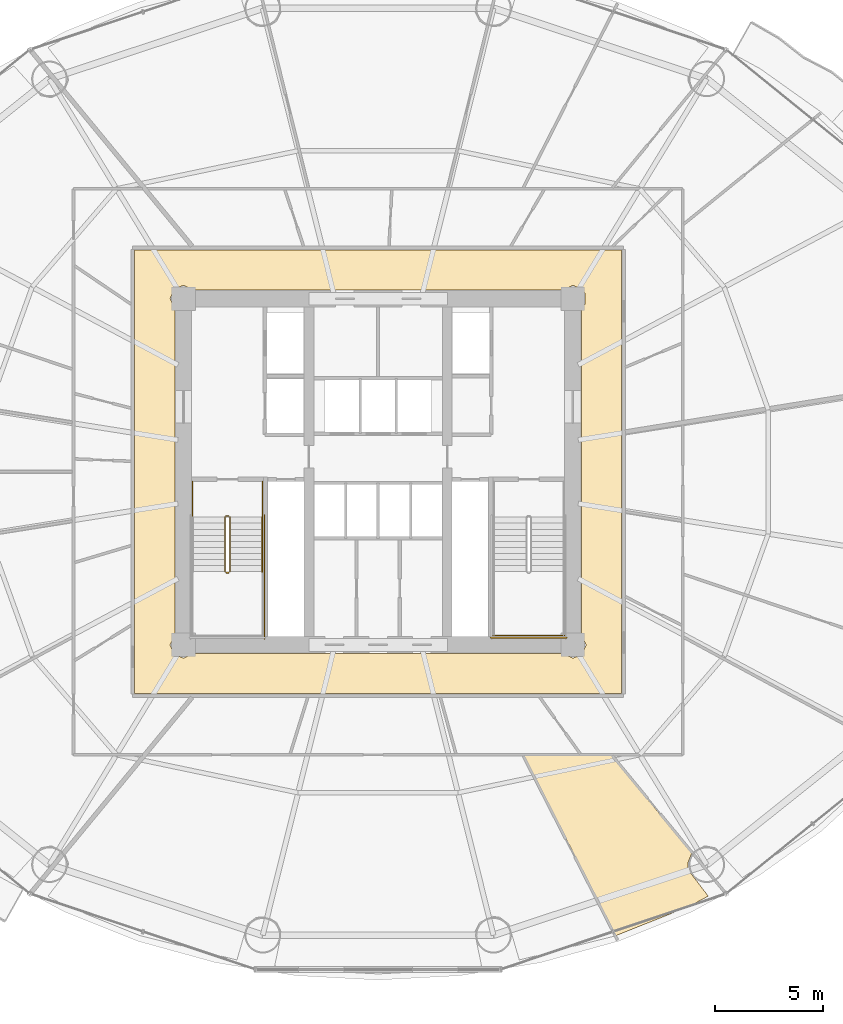
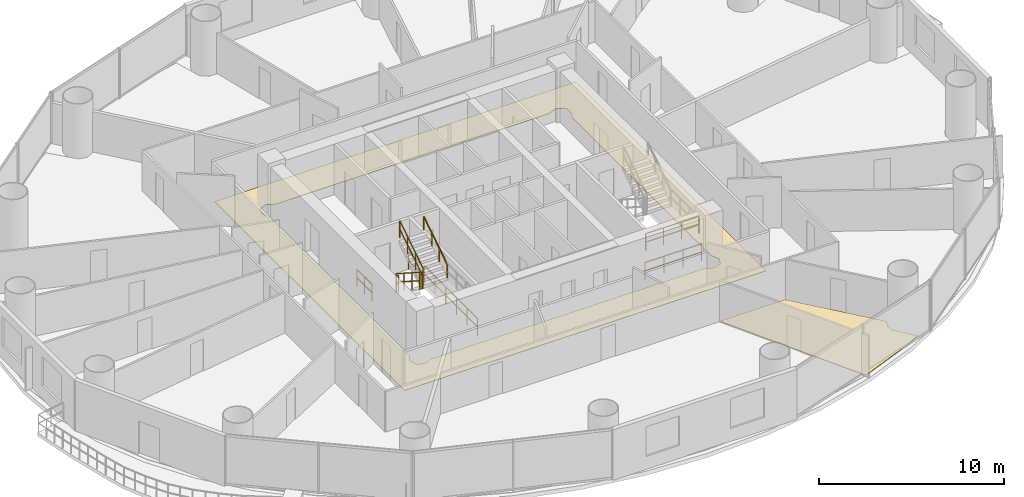
# One storey, part 26 of 28: 10 railings, 2 coverings.
"""IFC4 building model written with IfcOpenShell, lengths in metres."""

from ifc_helpers import new_model, si_unit, direction, frame, origin, origin_2d, place, context, subcontext, project, spatial, polyline, rectangle, outline, extrude, material, layer, layer_set, type_object, element, save


model = new_model("IFC4")

# Units and contexts
model_context = context("Model", 3, precision=1e-05, world=origin(), true_north=direction((-0.2419218956, 0.970295726276)))
body_context = subcontext(model_context, "Body", "Model", "MODEL_VIEW")
ifc_project = project(units=[si_unit("LENGTHUNIT", "METRE"), si_unit("AREAUNIT", "SQUARE_METRE"), si_unit("VOLUMEUNIT", "CUBIC_METRE"), si_unit("PLANEANGLEUNIT", "RADIAN"), si_unit("MASSUNIT", "GRAM", prefix="KILO")], contexts=[model_context])

# Site, building, storey
site_placement = place(None, origin())
site = spatial("IfcSite", under=ifc_project, at=site_placement, CompositionType="ELEMENT")
building_placement = place(site_placement, origin())
building = spatial("IfcBuilding", under=site, at=building_placement, Name="Cobrevalo Terracotta Tower", CompositionType="ELEMENT")
storey_placement = place(building_placement, frame((0.0, 0.0, 38.39990234375)))
storey = spatial("IfcBuildingStorey", under=building, at=storey_placement, Name="L09", CompositionType="ELEMENT", Elevation=38.39990234375)

# Coverings
ifc_material_1 = material(Name="Engineered Brazilian hardwood flooring", Category="wood")
ifc_layer_1 = layer(ifc_material_1, 0.028076171875)
ifc_layer_set_1 = layer_set([ifc_layer_1], Name="Engineered Brazilian hardwood flooring")
covering_type_1 = type_object("IfcCoveringType", Name="Engineered Hardwood Suite Flooring 28", PredefinedType="FLOORING", material=ifc_layer_set_1)
covering_1_placement = place(storey_placement, origin())
element("IfcCovering", 1, at=covering_1_placement, inside=storey, type_object=covering_type_1, Name="Flat L09C Master Bedroom floor finish", PredefinedType="FLOORING", context=body_context, shape_type="SweptSolid", body=[
    extrude(outline(polyline([(48.9873046875, 5.3486328125), (44.72119140625, 13.695068359375), (48.780029296875, 13.695068359375), (52.5048828125, 9.177490234375), (52.318115234375, 8.71044921875), (52.35498046875, 8.369140625), (53.26318359375, 7.178955078125), (52.361572265625, 6.691650390625), (48.9873046875, 5.3486328125)])), origin(), (0.0, 0.0, 1.0), 0.030029296875),
])
ifc_material_2 = material(Name="Honed terracotta and granite tile", Category="masonry")
ifc_layer_2 = layer(ifc_material_2, 0.034912109375)
ifc_layer_set_2 = layer_set([ifc_layer_2], Name="Honed terracotta and granite tile")
covering_type_2 = type_object("IfcCoveringType", Name="Honed Terracotta & Granite Interior Flooring 35", PredefinedType="FLOORING", material=ifc_layer_set_2)
covering_2_placement = place(storey_placement, origin())
element("IfcCovering", 2, at=covering_2_placement, inside=storey, type_object=covering_type_2, Name="L09 Residential Floor Corridor floor finish", PredefinedType="FLOORING", context=body_context, shape_type="SweptSolid", body=[
    extrude(outline(polyline([(49.2548828125, 37.054931640625), (49.2548828125, 16.544921875), (26.7451171875, 16.544921875), (26.7451171875, 37.054931640625), (49.2548828125, 37.054931640625)]), holes=[polyline([(47.39501953125, 34.33203125), (47.5732421875, 34.5625), (47.5732421875, 35.037353515625), (47.438720703125, 35.23876953125), (47.0, 35.42041015625), (46.5322265625, 35.195068359375), (29.4677734375, 35.195068359375), (29.0, 35.42041015625), (28.561279296875, 35.23876953125), (28.379638671875, 34.800048828125), (28.60498046875, 34.33203125), (28.60498046875, 19.267822265625), (28.379638671875, 18.800048828125), (28.561279296875, 18.361328125), (29.0, 18.1796875), (29.4677734375, 18.405029296875), (46.5322265625, 18.405029296875), (47.0, 18.1796875), (47.438720703125, 18.361328125), (47.620361328125, 18.800048828125), (47.39501953125, 19.267822265625), (47.39501953125, 34.33203125)])]), origin(), (0.0, 0.0, 1.0), 0.030029296875),
])

# Railings
ifc_material_3 = material(Name="Brushed stainless steel", Category="steel")
railing_type_1 = type_object("IfcRailingType", Name="Stainless Steel Stair Handrail 900", PredefinedType="HANDRAIL", material=ifc_material_3)
railing_1_placement = place(storey_placement, frame((32.64501953125, 22.179931640625, 1.97998046875)))
element("IfcRailing", 3, at=railing_1_placement, inside=storey, type_object=railing_type_1, Name="L09 ST-1 stair handrail 2", PredefinedType="HANDRAIL", context=body_context, shape_type="SweptSolid", body=[
    extrude(rectangle(XDim=0.048095703125, YDim=0.048095703125, at=origin_2d()), frame((0.0, 0.0, 0.8759765625), z_axis=(0.0, 0.841162588446, 0.540782303519), x_axis=(-1.0, 0.0, 0.0)), (0.0, 0.0, 1.0), 2.995849609375),
    extrude(rectangle(XDim=0.0419921875, YDim=0.0419921875, at=origin_2d()), origin(), (0.0, 0.0, 1.0), 0.851806640625),
    extrude(rectangle(XDim=0.0419921875, YDim=0.0419921875, at=origin_2d()), frame((0.0, 0.840087890625, 0.5400390625)), (0.0, 0.0, 1.0), 0.851806640625),
    extrude(rectangle(XDim=0.0419921875, YDim=0.0419921875, at=origin_2d()), frame((0.0, 1.679931640625, 1.080078125)), (0.0, 0.0, 1.0), 0.851806640625),
    extrude(rectangle(XDim=0.0419921875, YDim=0.0419921875, at=origin_2d()), frame((0.0, 2.52001953125, 1.6201171875)), (0.0, 0.0, 1.0), 0.851806640625),
])
ifc_material_4 = material(Name="Painted galvanized steel", Category="steel")
railing_type_2 = type_object("IfcRailingType", Name="Stair Well Guard Balustrade 1150", PredefinedType="GUARDRAIL", material=ifc_material_4)
railing_2_placement = place(storey_placement, frame((30.925048828125, 24.699951171875, 0.18017578125)))
element("IfcRailing", 4, at=railing_2_placement, inside=storey, type_object=railing_type_2, Name="L09 ST-1 stair guard 1", PredefinedType="GUARDRAIL", context=body_context, shape_type="SweptSolid", body=[
    extrude(rectangle(XDim=0.048095703125, YDim=0.048095703125, at=origin_2d()), frame((0.0, 0.0, 1.1259765625), z_axis=(0.0, -0.841199657755, 0.540724639528), x_axis=(1.0, 0.0, 0.0)), (0.0, 0.0, 1.0), 2.995849609375),
    extrude(rectangle(XDim=0.048095703125, YDim=0.048095703125, at=origin_2d()), frame((0.0, 0.0, 0.574951171875), z_axis=(0.0, -0.841199657755, 0.540724639528), x_axis=(1.0, 0.0, 0.0)), (0.0, 0.0, 1.0), 2.995849609375),
    extrude(rectangle(XDim=0.0419921875, YDim=0.0419921875, at=origin_2d()), origin(), (0.0, 0.0, 1.0), 1.101806640625),
    extrude(rectangle(XDim=0.0419921875, YDim=0.0419921875, at=origin_2d()), frame((0.0, -0.840087890625, 0.5400390625)), (0.0, 0.0, 1.0), 1.101806640625),
    extrude(rectangle(XDim=0.0419921875, YDim=0.0419921875, at=origin_2d()), frame((0.0, -1.679931640625, 1.079833984375)), (0.0, 0.0, 1.0), 1.101806640625),
    extrude(rectangle(XDim=0.0419921875, YDim=0.0419921875, at=origin_2d()), frame((0.0, -2.52001953125, 1.619873046875)), (0.0, 0.0, 1.0), 1.101806640625),
])
railing_3_placement = place(storey_placement, frame((30.97509765625, 22.1298828125, 1.800048828125)))
element("IfcRailing", 5, at=railing_3_placement, inside=storey, type_object=railing_type_2, Name="L09 ST-1 stair guard 2", PredefinedType="GUARDRAIL", context=body_context, shape_type="SweptSolid", body=[
    extrude(rectangle(XDim=0.048095703125, YDim=0.048095703125, at=origin_2d()), frame((0.0, 0.0, 1.1259765625), z_axis=(1.0, 0.0, 0.0), x_axis=(0.0, 1.0, 0.0)), (0.0, 0.0, 1.0), 0.119873046875),
    extrude(rectangle(XDim=0.048095703125, YDim=0.048095703125, at=origin_2d()), frame((0.0, 0.0, 0.574951171875), z_axis=(1.0, 0.0, 0.0), x_axis=(0.0, 1.0, 0.0)), (0.0, 0.0, 1.0), 0.119873046875),
    extrude(rectangle(XDim=0.0419921875, YDim=0.0419921875, at=origin_2d()), origin(), (0.0, 0.0, 1.0), 1.101806640625),
    extrude(rectangle(XDim=0.0419921875, YDim=0.0419921875, at=origin_2d()), frame((0.119873046875, 0.0, 0.0)), (0.0, 0.0, 1.0), 1.101806640625),
])
railing_4_placement = place(storey_placement, frame((31.14501953125, 22.179931640625, 1.97998046875)))
element("IfcRailing", 6, at=railing_4_placement, inside=storey, type_object=railing_type_2, Name="L09 ST-1 stair guard 6", PredefinedType="GUARDRAIL", context=body_context, shape_type="SweptSolid", body=[
    extrude(rectangle(XDim=0.048095703125, YDim=0.048095703125, at=origin_2d()), frame((0.0, 0.0, 1.1259765625), z_axis=(0.0, 0.841162588446, 0.540782303519), x_axis=(-1.0, 0.0, 0.0)), (0.0, 0.0, 1.0), 2.995849609375),
    extrude(rectangle(XDim=0.048095703125, YDim=0.048095703125, at=origin_2d()), frame((0.0, 0.0, 0.574951171875), z_axis=(0.0, 0.841162588446, 0.540782303519), x_axis=(-1.0, 0.0, 0.0)), (0.0, 0.0, 1.0), 2.995849609375),
    extrude(rectangle(XDim=0.0419921875, YDim=0.0419921875, at=origin_2d()), origin(), (0.0, 0.0, 1.0), 1.101806640625),
    extrude(rectangle(XDim=0.0419921875, YDim=0.0419921875, at=origin_2d()), frame((0.0, 0.840087890625, 0.5400390625)), (0.0, 0.0, 1.0), 1.101806640625),
    extrude(rectangle(XDim=0.0419921875, YDim=0.0419921875, at=origin_2d()), frame((0.0, 1.679931640625, 1.080078125)), (0.0, 0.0, 1.0), 1.101806640625),
    extrude(rectangle(XDim=0.0419921875, YDim=0.0419921875, at=origin_2d()), frame((0.0, 2.52001953125, 1.6201171875)), (0.0, 0.0, 1.0), 1.101806640625),
])
railing_5_placement = place(storey_placement, frame((30.97509765625, 24.75, 0.0)))
element("IfcRailing", 7, at=railing_5_placement, inside=storey, type_object=railing_type_2, Name="L09 ST-1 stair guard 7", PredefinedType="GUARDRAIL", context=body_context, shape_type="SweptSolid", body=[
    extrude(rectangle(XDim=0.048095703125, YDim=0.048095703125, at=origin_2d()), frame((0.0, 0.0, 1.1259765625), z_axis=(1.0, 0.0, 0.0), x_axis=(0.0, 1.0, 0.0)), (0.0, 0.0, 1.0), 0.119873046875),
    extrude(rectangle(XDim=0.048095703125, YDim=0.048095703125, at=origin_2d()), frame((0.0, 0.0, 0.574951171875), z_axis=(1.0, 0.0, 0.0), x_axis=(0.0, 1.0, 0.0)), (0.0, 0.0, 1.0), 0.119873046875),
    extrude(rectangle(XDim=0.0419921875, YDim=0.0419921875, at=origin_2d()), origin(), (0.0, 0.0, 1.0), 1.101806640625),
    extrude(rectangle(XDim=0.0419921875, YDim=0.0419921875, at=origin_2d()), frame((0.119873046875, 0.0, 0.0)), (0.0, 0.0, 1.0), 1.101806640625),
])
for number, where, name in (
    (8, (29.425048828125, 26.35009765625, 0.0), "L09 ST-1 stair guard 8"),
    (9, (32.64501953125, 26.35009765625, 0.0), "L09 ST-1 stair guard 9"),
):
    element("IfcRailing", number, at=place(storey_placement, frame(where)), inside=storey, type_object=railing_type_2, Name=name, PredefinedType="GUARDRAIL", context=body_context, shape_type="SweptSolid", body=[
        extrude(rectangle(XDim=0.048095703125, YDim=0.048095703125, at=origin_2d()), frame((0.0, 0.0, 1.1259765625), z_axis=(0.0, -1.0, 0.0), x_axis=(1.0, 0.0, 0.0)), (0.0, 0.0, 1.0), 1.650146484375),
        extrude(rectangle(XDim=0.048095703125, YDim=0.048095703125, at=origin_2d()), frame((0.0, 0.0, 0.574951171875), z_axis=(0.0, -1.0, 0.0), x_axis=(1.0, 0.0, 0.0)), (0.0, 0.0, 1.0), 1.650146484375),
        extrude(rectangle(XDim=0.0419921875, YDim=0.0419921875, at=origin_2d()), origin(), (0.0, 0.0, 1.0), 1.101806640625),
        extrude(rectangle(XDim=0.0419921875, YDim=0.0419921875, at=origin_2d()), frame((0.0, -0.8251953125, 0.0)), (0.0, 0.0, 1.0), 1.101806640625),
        extrude(rectangle(XDim=0.0419921875, YDim=0.0419921875, at=origin_2d()), frame((0.0, -1.650146484375, 0.0)), (0.0, 0.0, 1.0), 1.101806640625),
    ])
railing_6_placement = place(storey_placement, frame((32.7451171875, 24.800048828125, 0.0)))
element("IfcRailing", 10, at=railing_6_placement, inside=storey, type_object=railing_type_2, Name="L09 ST-1 stair guard 11", PredefinedType="GUARDRAIL", context=body_context, shape_type="SweptSolid", body=[
    extrude(rectangle(XDim=0.048095703125, YDim=0.048095703125, at=origin_2d()), frame((0.0, 0.0, 1.1259765625), z_axis=(0.0, -1.0, 0.0), x_axis=(1.0, 0.0, 0.0)), (0.0, 0.0, 1.0), 5.72509765625),
    extrude(rectangle(XDim=0.048095703125, YDim=0.048095703125, at=origin_2d()), frame((0.0, 0.0, 0.574951171875), z_axis=(0.0, -1.0, 0.0), x_axis=(1.0, 0.0, 0.0)), (0.0, 0.0, 1.0), 5.72509765625),
    extrude(rectangle(XDim=0.0419921875, YDim=0.0419921875, at=origin_2d()), origin(), (0.0, 0.0, 1.0), 1.101806640625),
    extrude(rectangle(XDim=0.0419921875, YDim=0.0419921875, at=origin_2d()), frame((0.0, -1.14501953125, 0.0)), (0.0, 0.0, 1.0), 1.101806640625),
    extrude(rectangle(XDim=0.0419921875, YDim=0.0419921875, at=origin_2d()), frame((0.0, -2.2900390625, 0.0)), (0.0, 0.0, 1.0), 1.101806640625),
    extrude(rectangle(XDim=0.0419921875, YDim=0.0419921875, at=origin_2d()), frame((0.0, -3.43505859375, 0.0)), (0.0, 0.0, 1.0), 1.101806640625),
    extrude(rectangle(XDim=0.0419921875, YDim=0.0419921875, at=origin_2d()), frame((0.0, -4.580078125, 0.0)), (0.0, 0.0, 1.0), 1.101806640625),
    extrude(rectangle(XDim=0.0419921875, YDim=0.0419921875, at=origin_2d()), frame((0.0, -5.72509765625, 0.0)), (0.0, 0.0, 1.0), 1.101806640625),
])
railing_7_placement = place(storey_placement, frame((43.304931640625, 19.22509765625, 1.800048828125)))
element("IfcRailing", 11, at=railing_7_placement, inside=storey, type_object=railing_type_2, Name="L09 ST-2 stair guard 5", PredefinedType="GUARDRAIL", context=body_context, shape_type="SweptSolid", body=[
    extrude(rectangle(XDim=0.048095703125, YDim=0.048095703125, at=origin_2d()), frame((0.0, 0.0, 1.1259765625), z_axis=(1.0, 0.0, 0.0), x_axis=(0.0, 1.0, 0.0)), (0.0, 0.0, 1.0), 3.320068359375),
    extrude(rectangle(XDim=0.048095703125, YDim=0.048095703125, at=origin_2d()), frame((0.0, 0.0, 0.574951171875), z_axis=(1.0, 0.0, 0.0), x_axis=(0.0, 1.0, 0.0)), (0.0, 0.0, 1.0), 3.320068359375),
    extrude(rectangle(XDim=0.0419921875, YDim=0.0419921875, at=origin_2d()), origin(), (0.0, 0.0, 1.0), 1.101806640625),
    extrude(rectangle(XDim=0.0419921875, YDim=0.0419921875, at=origin_2d()), frame((1.106689453125, 0.0, 0.0)), (0.0, 0.0, 1.0), 1.101806640625),
    extrude(rectangle(XDim=0.0419921875, YDim=0.0419921875, at=origin_2d()), frame((2.21337890625, 0.0, 0.0)), (0.0, 0.0, 1.0), 1.101806640625),
    extrude(rectangle(XDim=0.0419921875, YDim=0.0419921875, at=origin_2d()), frame((3.320068359375, 0.0, 0.0)), (0.0, 0.0, 1.0), 1.101806640625),
])
railing_8_placement = place(storey_placement, frame((43.205078125, 19.125, 0.0)))
element("IfcRailing", 12, at=railing_8_placement, inside=storey, type_object=railing_type_2, Name="L09 ST-2 stair guard 12", PredefinedType="GUARDRAIL", context=body_context, shape_type="SweptSolid", body=[
    extrude(rectangle(XDim=0.048095703125, YDim=0.048095703125, at=origin_2d()), frame((0.0, 0.0, 1.1259765625), z_axis=(1.0, 0.0, 0.0), x_axis=(0.0, 1.0, 0.0)), (0.0, 0.0, 1.0), 3.52001953125),
    extrude(rectangle(XDim=0.048095703125, YDim=0.048095703125, at=origin_2d()), frame((0.0, 0.0, 0.574951171875), z_axis=(1.0, 0.0, 0.0), x_axis=(0.0, 1.0, 0.0)), (0.0, 0.0, 1.0), 3.52001953125),
    extrude(rectangle(XDim=0.0419921875, YDim=0.0419921875, at=origin_2d()), origin(), (0.0, 0.0, 1.0), 1.101806640625),
    extrude(rectangle(XDim=0.0419921875, YDim=0.0419921875, at=origin_2d()), frame((1.17333984375, 0.0, 0.0)), (0.0, 0.0, 1.0), 1.101806640625),
    extrude(rectangle(XDim=0.0419921875, YDim=0.0419921875, at=origin_2d()), frame((2.3466796875, 0.0, 0.0)), (0.0, 0.0, 1.0), 1.101806640625),
    extrude(rectangle(XDim=0.0419921875, YDim=0.0419921875, at=origin_2d()), frame((3.52001953125, 0.0, 0.0)), (0.0, 0.0, 1.0), 1.101806640625),
])

save(model, "model.ifc")
